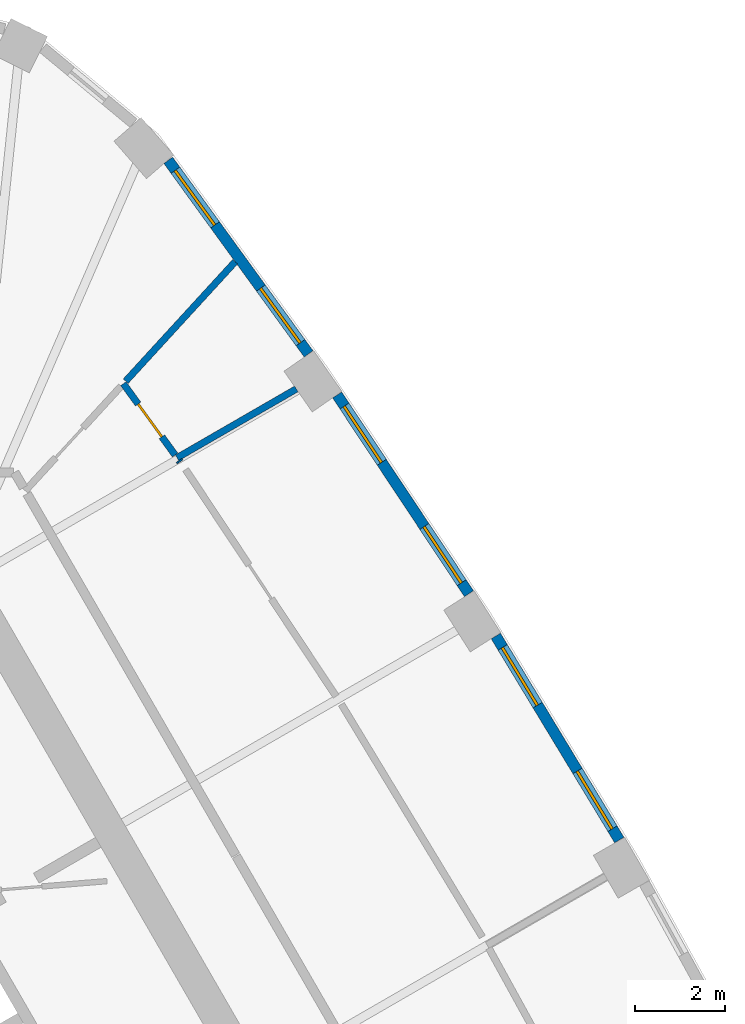
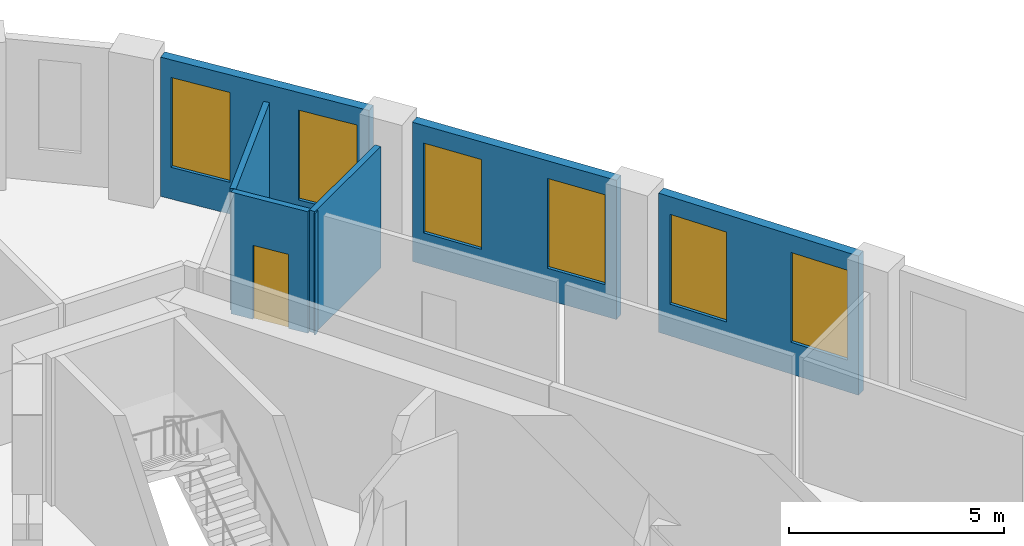
# One storey, part 9 of 11: 7 walls, 6 windows, 1 door, 7 openings.
"""IFC4 building model written with IfcOpenShell, lengths in metres."""

from ifc_helpers import new_model, si_unit, direction, frame, frame_2d, origin, place, context, subcontext, project, spatial, rectangle, extrude, material, layer, layer_set, type_object, element, fill, save


model = new_model("IFC4")

# Units and contexts
model_context = context("Model", 3, precision=1e-05, world=origin(), true_north=direction((0.0, 1.0)))
body_context = subcontext(model_context, "Body", "Model", "MODEL_VIEW")
ifc_project = project(units=[si_unit("LENGTHUNIT", "METRE"), si_unit("AREAUNIT", "SQUARE_METRE"), si_unit("VOLUMEUNIT", "CUBIC_METRE"), si_unit("PLANEANGLEUNIT", "RADIAN"), si_unit("MASSUNIT", "GRAM", prefix="KILO")], contexts=[model_context])

# Site, building, storey
site_placement = place(None, origin())
site = spatial("IfcSite", under=ifc_project, at=site_placement, CompositionType="ELEMENT")
building_placement = place(site_placement, origin())
building = spatial("IfcBuilding", under=site, at=building_placement, Name="Mestral Congress Tower", CompositionType="ELEMENT")
storey_placement = place(building_placement, frame((0.0, 0.0, 201.60009765625)))
storey = spatial("IfcBuildingStorey", under=building, at=storey_placement, Name="L47", CompositionType="ELEMENT", Elevation=201.60009765625)

# Wall, openings, windows
ifc_material_1 = material(Name="Precast concrete C40/50 with limestone facing", Category="masonry")
ifc_layer_1 = layer(ifc_material_1, 0.239990234375)
ifc_layer_set_1 = layer_set([ifc_layer_1], Name="Precast concrete C40/50 with limestone facing")
wall_type_1 = type_object("IfcWallType", Name="Facade stone wall 240", PredefinedType="SOLIDWALL", material=ifc_layer_set_1)
wall_1_placement = place(storey_placement, frame((16.78173828125, 10.331298828125, 0.0), z_axis=(0.0, 0.0, 1.0), x_axis=(-0.517846166225, 0.855473756538, 0.0)))
wall_1 = element("IfcWall", 1, at=wall_1_placement, inside=storey, type_object=wall_type_1, Name="Facade wall F1-03", PredefinedType="SOLIDWALL", context=body_context, shape_type="SweptSolid", body=[
    extrude(rectangle(XDim=5.298095703125, YDim=0.239990234375, at=frame_2d((2.64892578125, 0.0))), origin(), (0.0, 0.0, 1.0), 3.949951171875),
])
opening_1_placement = place(wall_1_placement, frame((0.29443359375, 0.0, 0.89990234375)))
opening_1 = element("IfcOpeningElement", 2, at=opening_1_placement, cuts=wall_1, Name="Opening W4", PredefinedType="OPENING", context=body_context, shape_type="SweptSolid", body=[
    extrude(rectangle(XDim=1.5, YDim=2.550048828125, at=frame_2d((0.75, 1.27490234375))), frame((0.0, 0.1298828125, 0.0), z_axis=(0.0, -1.0, 0.0), x_axis=(1.0, 0.0, 0.0)), (0.0, 0.0, 1.0), 0.260009765625),
])
opening_2_placement = place(wall_1_placement, frame((3.503662109375, 0.0, 0.89990234375)))
opening_2 = element("IfcOpeningElement", 3, at=opening_2_placement, cuts=wall_1, Name="Opening W4", PredefinedType="OPENING", context=body_context, shape_type="SweptSolid", body=[
    extrude(rectangle(XDim=1.5, YDim=2.550048828125, at=frame_2d((0.75, 1.27490234375))), frame((0.0, 0.1298828125, 0.0), z_axis=(0.0, -1.0, 0.0), x_axis=(1.0, 0.0, 0.0)), (0.0, 0.0, 1.0), 0.260009765625),
])
ifc_material_2 = material(Name="Clear low-emissivity double glazing", Category="glass")
window_type = type_object("IfcWindowType", Name="Facade punched window 1500 x 2550 sill 900", PartitioningType="SINGLE_PANEL", PredefinedType="WINDOW", material=ifc_material_2)
window_1_placement = place(opening_1_placement, origin())
window_1 = element("IfcWindow", 4, at=window_1_placement, inside=storey, type_object=window_type, Name="Window F1-03a", OverallHeight=2.550048828125, OverallWidth=1.5, PartitioningType="SINGLE_PANEL", PredefinedType="WINDOW", context=body_context, shape_type="SweptSolid", body=[
    extrude(rectangle(XDim=1.5, YDim=2.550048828125, at=frame_2d((0.75, 1.27490234375))), frame((0.0, 0.0400390625, 0.0), z_axis=(0.0, -1.0, 0.0), x_axis=(1.0, 0.0, 0.0)), (0.0, 0.0, 1.0), 0.06005859375),
])
fill(opening_1, window_1)
window_2_placement = place(opening_2_placement, origin())
window_2 = element("IfcWindow", 5, at=window_2_placement, inside=storey, type_object=window_type, Name="Window F1-03b", OverallHeight=2.550048828125, OverallWidth=1.5, PartitioningType="SINGLE_PANEL", PredefinedType="WINDOW", context=body_context, shape_type="SweptSolid", body=[
    extrude(rectangle(XDim=1.5, YDim=2.550048828125, at=frame_2d((0.75, 1.27490234375))), frame((0.0, 0.0400390625, 0.0), z_axis=(0.0, -1.0, 0.0), x_axis=(1.0, 0.0, 0.0)), (0.0, 0.0, 1.0), 0.06005859375),
])
fill(opening_2, window_2)

wall_2_placement = place(storey_placement, frame((13.442138671875, 15.803466796875, 0.0), z_axis=(0.0, 0.0, 1.0), x_axis=(-0.552901821755, 0.833246407433, 0.0)))
wall_2 = element("IfcWall", 6, at=wall_2_placement, inside=storey, type_object=wall_type_1, Name="Facade wall F1-04", PredefinedType="SOLIDWALL", context=body_context, shape_type="SweptSolid", body=[
    extrude(rectangle(XDim=5.29833984375, YDim=0.239990234375, at=frame_2d((2.649169921875, 0.0))), origin(), (0.0, 0.0, 1.0), 3.949951171875),
])
opening_3_placement = place(wall_2_placement, frame((0.294677734375, 0.0, 0.89990234375)))
opening_3 = element("IfcOpeningElement", 7, at=opening_3_placement, cuts=wall_2, Name="Opening W4", PredefinedType="OPENING", context=body_context, shape_type="SweptSolid", body=[
    extrude(rectangle(XDim=1.5, YDim=2.550048828125, at=frame_2d((0.75, 1.27490234375))), frame((0.0, 0.1298828125, 0.0), z_axis=(0.0, -1.0, 0.0), x_axis=(1.0, 0.0, 0.0)), (0.0, 0.0, 1.0), 0.260009765625),
])
opening_4_placement = place(wall_2_placement, frame((3.50390625, 0.0, 0.89990234375)))
opening_4 = element("IfcOpeningElement", 8, at=opening_4_placement, cuts=wall_2, Name="Opening W4", PredefinedType="OPENING", context=body_context, shape_type="SweptSolid", body=[
    extrude(rectangle(XDim=1.5, YDim=2.550048828125, at=frame_2d((0.75, 1.27490234375))), frame((0.0, 0.1298828125, 0.0), z_axis=(0.0, -1.0, 0.0), x_axis=(1.0, 0.0, 0.0)), (0.0, 0.0, 1.0), 0.260009765625),
])
window_3_placement = place(opening_3_placement, origin())
window_3 = element("IfcWindow", 9, at=window_3_placement, inside=storey, type_object=window_type, Name="Window F1-04a", OverallHeight=2.550048828125, OverallWidth=1.5, PartitioningType="SINGLE_PANEL", PredefinedType="WINDOW", context=body_context, shape_type="SweptSolid", body=[
    extrude(rectangle(XDim=1.5, YDim=2.550048828125, at=frame_2d((0.75, 1.27490234375))), frame((0.0, 0.0400390625, 0.0), z_axis=(0.0, -1.0, 0.0), x_axis=(1.0, 0.0, 0.0)), (0.0, 0.0, 1.0), 0.06005859375),
])
fill(opening_3, window_3)
window_4_placement = place(opening_4_placement, origin())
window_4 = element("IfcWindow", 10, at=window_4_placement, inside=storey, type_object=window_type, Name="Window F1-04b", OverallHeight=2.550048828125, OverallWidth=1.5, PartitioningType="SINGLE_PANEL", PredefinedType="WINDOW", context=body_context, shape_type="SweptSolid", body=[
    extrude(rectangle(XDim=1.5, YDim=2.550048828125, at=frame_2d((0.75, 1.27490234375))), frame((0.0, 0.0400390625, 0.0), z_axis=(0.0, -1.0, 0.0), x_axis=(1.0, 0.0, 0.0)), (0.0, 0.0, 1.0), 0.06005859375),
])
fill(opening_4, window_4)

wall_3_placement = place(storey_placement, frame((9.87841796875, 21.13232421875, 0.0), z_axis=(0.0, 0.0, 1.0), x_axis=(-0.586998456641, 0.80958805074, 0.0)))
wall_3 = element("IfcWall", 11, at=wall_3_placement, inside=storey, type_object=wall_type_1, Name="Facade wall F1-05", PredefinedType="SOLIDWALL", context=body_context, shape_type="SweptSolid", body=[
    extrude(rectangle(XDim=5.310791015625, YDim=0.239990234375, at=frame_2d((2.6552734375, 0.0))), origin(), (0.0, 0.0, 1.0), 3.949951171875),
])
opening_5_placement = place(wall_3_placement, frame((0.306396484375, 0.0, 0.89990234375)))
opening_5 = element("IfcOpeningElement", 12, at=opening_5_placement, cuts=wall_3, Name="Opening W4", PredefinedType="OPENING", context=body_context, shape_type="SweptSolid", body=[
    extrude(rectangle(XDim=1.5, YDim=2.550048828125, at=frame_2d((0.75, 1.27490234375))), frame((0.0, 0.1298828125, 0.0), z_axis=(0.0, -1.0, 0.0), x_axis=(1.0, 0.0, 0.0)), (0.0, 0.0, 1.0), 0.260009765625),
])
opening_6_placement = place(wall_3_placement, frame((3.539306640625, 0.0, 0.89990234375)))
opening_6 = element("IfcOpeningElement", 13, at=opening_6_placement, cuts=wall_3, Name="Opening W4", PredefinedType="OPENING", context=body_context, shape_type="SweptSolid", body=[
    extrude(rectangle(XDim=1.5, YDim=2.550048828125, at=frame_2d((0.75, 1.27490234375))), frame((0.0, 0.1298828125, 0.0), z_axis=(0.0, -1.0, 0.0), x_axis=(1.0, 0.0, 0.0)), (0.0, 0.0, 1.0), 0.260009765625),
])
window_5_placement = place(opening_5_placement, origin())
window_5 = element("IfcWindow", 14, at=window_5_placement, inside=storey, type_object=window_type, Name="Window F1-05a", OverallHeight=2.550048828125, OverallWidth=1.5, PartitioningType="SINGLE_PANEL", PredefinedType="WINDOW", context=body_context, shape_type="SweptSolid", body=[
    extrude(rectangle(XDim=1.5, YDim=2.550048828125, at=frame_2d((0.75, 1.27490234375))), frame((0.0, 0.0400390625, 0.0), z_axis=(0.0, -1.0, 0.0), x_axis=(1.0, 0.0, 0.0)), (0.0, 0.0, 1.0), 0.06005859375),
])
fill(opening_5, window_5)
window_6_placement = place(opening_6_placement, origin())
window_6 = element("IfcWindow", 15, at=window_6_placement, inside=storey, type_object=window_type, Name="Window F1-05b", OverallHeight=2.550048828125, OverallWidth=1.5, PartitioningType="SINGLE_PANEL", PredefinedType="WINDOW", context=body_context, shape_type="SweptSolid", body=[
    extrude(rectangle(XDim=1.5, YDim=2.550048828125, at=frame_2d((0.75, 1.27490234375))), frame((0.0, 0.0400390625, 0.0), z_axis=(0.0, -1.0, 0.0), x_axis=(1.0, 0.0, 0.0)), (0.0, 0.0, 1.0), 0.06005859375),
])
fill(opening_6, window_6)

# Walls
ifc_material_3 = material(Name="Plasterboard partition on steel studs", Category="steel")
ifc_layer_2 = layer(ifc_material_3, 0.14990234375)
ifc_layer_set_2 = layer_set([ifc_layer_2], Name="Plasterboard partition on steel studs")
wall_type_2 = type_object("IfcWallType", Name="Office partition 150", PredefinedType="PARTITIONING", material=ifc_layer_set_2)
wall_4_placement = place(storey_placement, frame((6.957763671875, 18.8232421875, 0.0), z_axis=(0.0, 0.0, 1.0), x_axis=(0.866008752819, 0.500028839209, 0.0)))
element("IfcWall", 16, at=wall_4_placement, inside=storey, type_object=wall_type_2, Name="Partition", PredefinedType="PARTITIONING", context=body_context, shape_type="SweptSolid", body=[
    extrude(rectangle(XDim=3.057861328125, YDim=0.14990234375, at=frame_2d((1.52880859375, 0.0))), origin(), (0.0, 0.0, 1.0), 3.449951171875),
])
wall_5_placement = place(storey_placement, frame((7.022216796875, 18.734130859375, 0.0), z_axis=(0.0, 0.0, 1.0), x_axis=(-0.585233084123, 0.810865116556, 0.0)))
element("IfcWall", 17, at=wall_5_placement, inside=storey, type_object=wall_type_2, Name="Partition", PredefinedType="PARTITIONING", context=body_context, shape_type="SweptSolid", body=[
    extrude(rectangle(XDim=0.03466796875, YDim=0.14990234375, at=frame_2d((0.017333984375, 0.0))), origin(), (0.0, 0.0, 1.0), 3.449951171875),
])

# Wall, opening, door
wall_6_placement = place(storey_placement, frame((5.764404296875, 20.46923828125, 0.0), z_axis=(0.0, 0.0, 1.0), x_axis=(0.586969615341, -0.809608961577, 0.0)))
wall_6 = element("IfcWall", 18, at=wall_6_placement, inside=storey, type_object=wall_type_2, Name="Partition", PredefinedType="PARTITIONING", context=body_context, shape_type="SweptSolid", body=[
    extrude(rectangle(XDim=1.957275390625, YDim=0.14990234375, at=frame_2d((0.978515625, 0.0))), origin(), (0.0, 0.0, 1.0), 3.449951171875),
])
opening_7_placement = place(wall_6_placement, frame((0.5576171875, 0.0, 0.0)))
opening_7 = element("IfcOpeningElement", 19, at=opening_7_placement, cuts=wall_6, Name="Opening O06-008", PredefinedType="OPENING", context=body_context, shape_type="SweptSolid", body=[
    extrude(rectangle(XDim=0.89990234375, YDim=2.10009765625, at=frame_2d((0.449951171875, 1.050048828125))), frame((0.0, 0.0849609375, 0.0), z_axis=(0.0, -1.0, 0.0), x_axis=(1.0, 0.0, 0.0)), (0.0, 0.0, 1.0), 0.169921875),
])
ifc_material_4 = material(Name="Timber door set", Category="wood")
door_type = type_object("IfcDoorType", Name="Office door 900x2100", OperationType="SINGLE_SWING_LEFT", PredefinedType="DOOR", material=ifc_material_4)
door_placement = place(opening_7_placement, origin())
door = element("IfcDoor", 20, at=door_placement, inside=storey, type_object=door_type, Name="Door O06-008", OperationType="SINGLE_SWING_RIGHT", OverallHeight=2.10009765625, OverallWidth=0.89990234375, PredefinedType="DOOR", context=body_context, shape_type="SweptSolid", body=[
    extrude(rectangle(XDim=0.89990234375, YDim=2.10009765625, at=frame_2d((0.449951171875, 1.050048828125))), frame((0.0, 0.02490234375, 0.0), z_axis=(0.0, -1.0, 0.0), x_axis=(1.0, 0.0, 0.0)), (0.0, 0.0, 1.0), 0.050048828125),
])
fill(opening_7, door)

# Wall
wall_7_placement = place(storey_placement, frame((5.81591796875, 20.525634765625, 0.0), z_axis=(0.0, 0.0, 1.0), x_axis=(0.675700046709, 0.737176672771, 0.0)))
element("IfcWall", 21, at=wall_7_placement, inside=storey, type_object=wall_type_2, Name="Partition", PredefinedType="PARTITIONING", context=body_context, shape_type="SweptSolid", body=[
    extrude(rectangle(XDim=3.597900390625, YDim=0.14990234375, at=frame_2d((1.798828125, 0.0))), origin(), (0.0, 0.0, 1.0), 3.449951171875),
])

save(model, "model.ifc")
